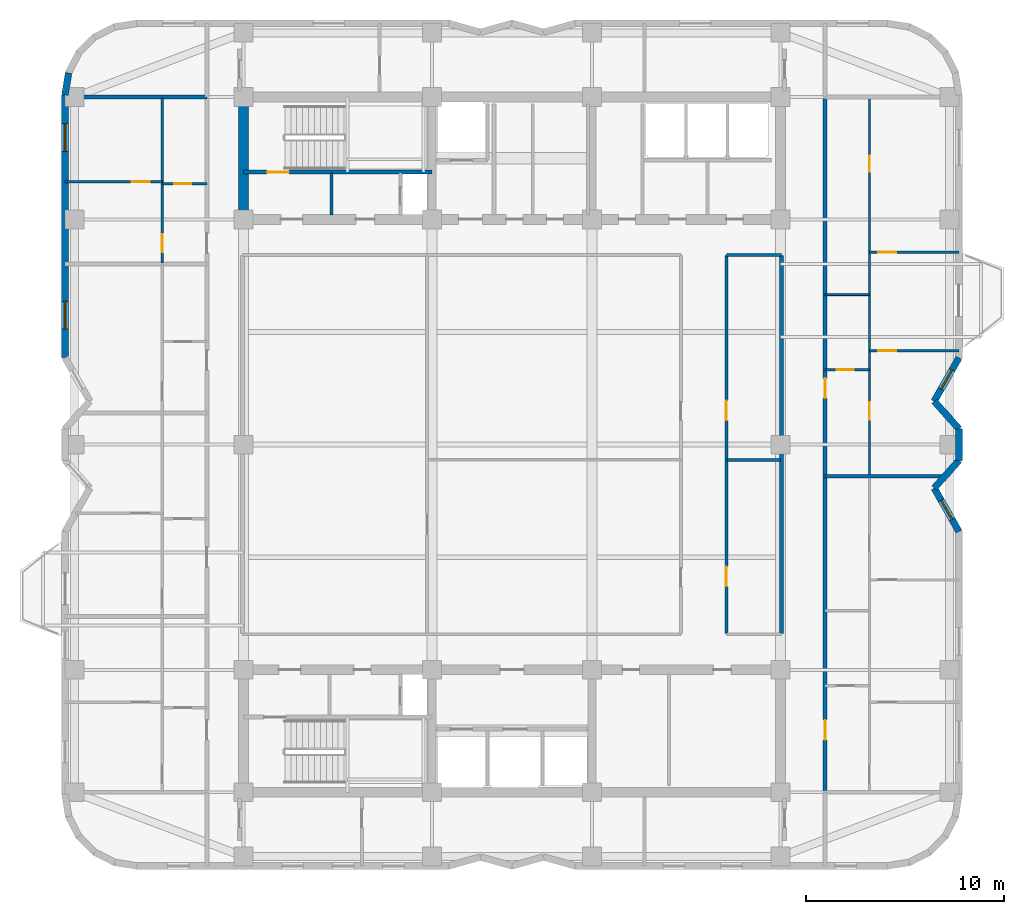
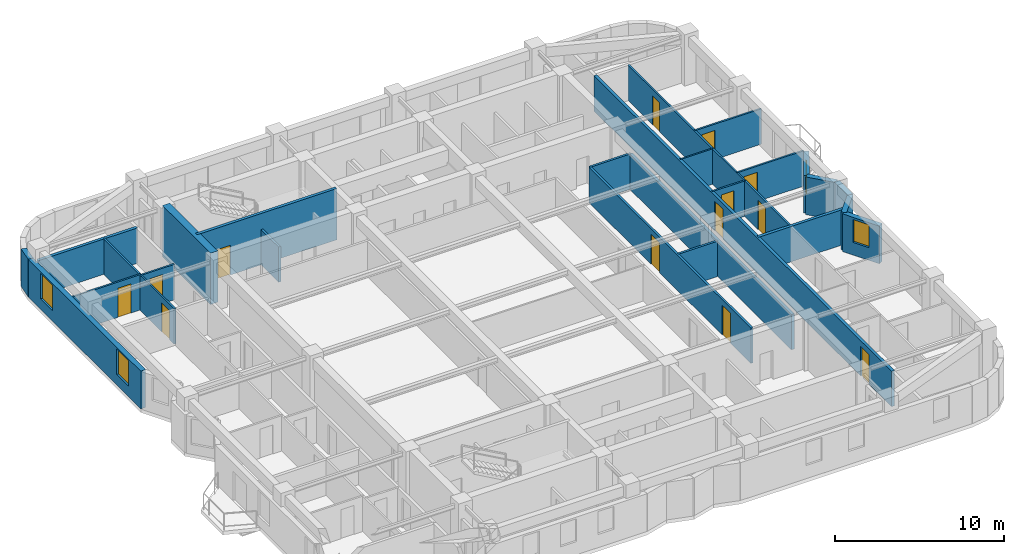
# One storey, part 5 of 9: 25 walls, 13 doors, 4 windows, 17 openings.
"""IFC4 building model written with IfcOpenShell, lengths in metres."""

from ifc_helpers import new_model, si_unit, direction, frame, frame_2d, origin, place, context, subcontext, project, spatial, rectangle, extrude, material, layer, layer_set, type_object, element, fill, save


model = new_model("IFC4")

# Units and contexts
model_context = context("Model", 3, precision=1e-05, world=origin(), true_north=direction((0.0, 1.0)))
body_context = subcontext(model_context, "Body", "Model", "MODEL_VIEW")
ifc_project = project(units=[si_unit("LENGTHUNIT", "METRE"), si_unit("AREAUNIT", "SQUARE_METRE"), si_unit("VOLUMEUNIT", "CUBIC_METRE"), si_unit("PLANEANGLEUNIT", "RADIAN"), si_unit("MASSUNIT", "GRAM", prefix="KILO")], contexts=[model_context])

# Site, building, storey
site_placement = place(None, origin())
site = spatial("IfcSite", under=ifc_project, at=site_placement, CompositionType="ELEMENT")
building_placement = place(site_placement, origin())
building = spatial("IfcBuilding", under=site, at=building_placement, Name="Svetorya Sky Lyceum", CompositionType="ELEMENT")
storey_placement = place(building_placement, frame((0.0, 0.0, 173.699951171875)))
storey = spatial("IfcBuildingStorey", under=building, at=storey_placement, Name="L43", CompositionType="ELEMENT", Elevation=173.699951171875)

# Wall
ifc_material_1 = material(Name="Concrete C50/60", Category="concrete")
ifc_layer_1 = layer(ifc_material_1, 0.5)
ifc_layer_set_1 = layer_set([ifc_layer_1], Name="Concrete C50/60")
wall_type_1 = type_object("IfcWallType", Name="WL-CORE-500", PredefinedType="SHEAR", material=ifc_layer_set_1)
wall_1_placement = place(storey_placement, frame((25.60009765625, 39.85009765625, 0.0), z_axis=(0.0, 0.0, 1.0), x_axis=(0.0, 1.0, 0.0)))
element("IfcWall", 1, at=wall_1_placement, inside=storey, type_object=wall_type_1, Name="L43 NC West Core Shear Wall", PredefinedType="SHEAR", context=body_context, shape_type="SweptSolid", body=[
    extrude(rectangle(XDim=5.699951171875, YDim=0.5, at=frame_2d((2.85009765625, 0.0))), origin(), (0.0, 0.0, 1.0), 3.699951171875),
])

# Wall, opening, window
ifc_material_2 = material(Name="Putilovo limestone rainscreen on autoclaved cellular masonry", Category="masonry")
ifc_layer_2 = layer(ifc_material_2, 0.340087890625)
ifc_layer_set_2 = layer_set([ifc_layer_2], Name="Putilovo limestone rainscreen on autoclaved cellular masonry")
wall_type_2 = type_object("IfcWallType", Name="WL-EXT-340", PredefinedType="SOLIDWALL", material=ifc_layer_set_2)
wall_2_placement = place(storey_placement, frame((61.830078125, 23.800048828125, 0.0), z_axis=(0.0, 0.0, 1.0), x_axis=(-0.494017696272, 0.869451847873, 0.0)))
wall_2 = element("IfcWall", 2, at=wall_2_placement, inside=storey, type_object=wall_type_2, Name="L43 Limestone Exterior Wall 18M", PredefinedType="SOLIDWALL", context=body_context, shape_type="SweptSolid", body=[
    extrude(rectangle(XDim=2.5302734375, YDim=0.340087890625, at=frame_2d((1.26513671875, 0.0))), origin(), (0.0, 0.0, 1.0), 2.719970703125),
])
opening_1_placement = place(wall_2_placement, frame((0.715087890625, 0.0, 0.909912109375)))
opening_1 = element("IfcOpeningElement", 3, at=opening_1_placement, cuts=wall_2, Name="Opening W-R3", PredefinedType="OPENING", context=body_context, shape_type="SweptSolid", body=[
    extrude(rectangle(XDim=1.10009765625, YDim=1.64990234375, at=frame_2d((0.550048828125, 0.824951171875))), frame((0.0, 0.179931640625, 0.0), z_axis=(0.0, -1.0, 0.0), x_axis=(1.0, 0.0, 0.0)), (0.0, 0.0, 1.0), 0.360107421875),
])
ifc_material_3 = material(Name="Thermally broken aluminium frame with triple low-E glazing", Category="aluminium")
window_type_1 = type_object("IfcWindowType", Name="WN-RES-110", PartitioningType="SINGLE_PANEL", PredefinedType="WINDOW", material=ifc_material_3)
window_1_placement = place(opening_1_placement, origin())
window_1 = element("IfcWindow", 4, at=window_1_placement, inside=storey, type_object=window_type_1, Name="L43 Facade Window W-R3.18M.1", OverallHeight=1.64990234375, OverallWidth=1.10009765625, PartitioningType="SINGLE_PANEL", PredefinedType="WINDOW", context=body_context, shape_type="SweptSolid", body=[
    extrude(rectangle(XDim=1.10009765625, YDim=1.64990234375, at=frame_2d((0.550048828125, 0.824951171875))), frame((0.0, 0.030029296875, 0.0), z_axis=(0.0, -1.0, 0.0), x_axis=(1.0, 0.0, 0.0)), (0.0, 0.0, 1.0), 0.06005859375),
])
fill(opening_1, window_1)

# Walls
wall_3_placement = place(storey_placement, frame((60.580078125, 26.0, 0.0), z_axis=(0.0, 0.0, 1.0), x_axis=(0.666041619974, 0.74591457987, 0.0)))
element("IfcWall", 5, at=wall_3_placement, inside=storey, type_object=wall_type_2, Name="L43 Limestone Exterior Wall 19M", PredefinedType="SOLIDWALL", context=body_context, shape_type="SweptSolid", body=[
    extrude(rectangle(XDim=1.876708984375, YDim=0.340087890625, at=frame_2d((0.9384765625, 0.0))), origin(), (0.0, 0.0, 1.0), 2.719970703125),
])
wall_4_placement = place(storey_placement, frame((61.830078125, 27.39990234375, 0.0), z_axis=(0.0, 0.0, 1.0), x_axis=(0.0, 1.0, 0.0)))
element("IfcWall", 6, at=wall_4_placement, inside=storey, type_object=wall_type_2, Name="L43 Limestone Exterior Wall 20M", PredefinedType="SOLIDWALL", context=body_context, shape_type="SweptSolid", body=[
    extrude(rectangle(XDim=1.60009765625, YDim=0.340087890625, at=frame_2d((0.800048828125, 0.0))), origin(), (0.0, 0.0, 1.0), 2.719970703125),
])
wall_5_placement = place(storey_placement, frame((61.830078125, 29.0, 0.0), z_axis=(0.0, 0.0, 1.0), x_axis=(-0.666041619974, 0.74591457987, 0.0)))
element("IfcWall", 7, at=wall_5_placement, inside=storey, type_object=wall_type_2, Name="L43 Limestone Exterior Wall 21M", PredefinedType="SOLIDWALL", context=body_context, shape_type="SweptSolid", body=[
    extrude(rectangle(XDim=1.876708984375, YDim=0.340087890625, at=frame_2d((0.9384765625, 0.0))), origin(), (0.0, 0.0, 1.0), 2.719970703125),
])

# Wall, opening, window
wall_6_placement = place(storey_placement, frame((60.580078125, 30.39990234375, 0.0), z_axis=(0.0, 0.0, 1.0), x_axis=(0.493976255291, 0.869475393101, 0.0)))
wall_6 = element("IfcWall", 8, at=wall_6_placement, inside=storey, type_object=wall_type_2, Name="L43 Limestone Exterior Wall 22M", PredefinedType="SOLIDWALL", context=body_context, shape_type="SweptSolid", body=[
    extrude(rectangle(XDim=2.530517578125, YDim=0.340087890625, at=frame_2d((1.26513671875, 0.0))), origin(), (0.0, 0.0, 1.0), 2.719970703125),
])
opening_2_placement = place(wall_6_placement, frame((0.715087890625, 0.0, 0.909912109375)))
opening_2 = element("IfcOpeningElement", 9, at=opening_2_placement, cuts=wall_6, Name="Opening W-R3", PredefinedType="OPENING", context=body_context, shape_type="SweptSolid", body=[
    extrude(rectangle(XDim=1.10009765625, YDim=1.64990234375, at=frame_2d((0.550048828125, 0.824951171875))), frame((0.0, 0.179931640625, 0.0), z_axis=(0.0, -1.0, 0.0), x_axis=(1.0, 0.0, 0.0)), (0.0, 0.0, 1.0), 0.360107421875),
])
window_2_placement = place(opening_2_placement, origin())
window_2 = element("IfcWindow", 10, at=window_2_placement, inside=storey, type_object=window_type_1, Name="L43 Facade Window W-R3.22M.1", OverallHeight=1.64990234375, OverallWidth=1.10009765625, PartitioningType="SINGLE_PANEL", PredefinedType="WINDOW", context=body_context, shape_type="SweptSolid", body=[
    extrude(rectangle(XDim=1.10009765625, YDim=1.64990234375, at=frame_2d((0.550048828125, 0.824951171875))), frame((0.0, 0.030029296875, 0.0), z_axis=(0.0, -1.0, 0.0), x_axis=(1.0, 0.0, 0.0)), (0.0, 0.0, 1.0), 0.06005859375),
])
fill(opening_2, window_2)

# Wall
wall_7_placement = place(storey_placement, frame((16.747802734375, 47.021728515625, 0.0), z_axis=(0.0, 0.0, 1.0), x_axis=(-0.156481329164, -0.987680916907, 0.0)))
element("IfcWall", 11, at=wall_7_placement, inside=storey, type_object=wall_type_2, Name="L43 Limestone Exterior Wall 39M", PredefinedType="SOLIDWALL", context=body_context, shape_type="SweptSolid", body=[
    extrude(rectangle(XDim=1.1357421875, YDim=0.340087890625, at=frame_2d((0.56787109375, 0.0))), origin(), (0.0, 0.0, 1.0), 2.719970703125),
])

# Wall, openings, windows
wall_8_placement = place(storey_placement, frame((16.570068359375, 45.89990234375, 0.0), z_axis=(0.0, 0.0, 1.0), x_axis=(0.0, -1.0, 0.0)))
wall_8 = element("IfcWall", 12, at=wall_8_placement, inside=storey, type_object=wall_type_2, Name="L43 Limestone Exterior Wall 40M", PredefinedType="SOLIDWALL", context=body_context, shape_type="SweptSolid", body=[
    extrude(rectangle(XDim=13.2998046875, YDim=0.340087890625, at=frame_2d((6.64990234375, 0.0))), origin(), (0.0, 0.0, 1.0), 2.719970703125),
])
opening_3_placement = place(wall_8_placement, frame((1.449951171875, 0.0, 0.75)))
opening_3 = element("IfcOpeningElement", 13, at=opening_3_placement, cuts=wall_8, Name="Opening W-R2", PredefinedType="OPENING", context=body_context, shape_type="SweptSolid", body=[
    extrude(rectangle(XDim=1.39990234375, YDim=1.85009765625, at=frame_2d((0.699951171875, 0.925048828125))), frame((0.0, 0.179931640625, 0.0), z_axis=(0.0, -1.0, 0.0), x_axis=(1.0, 0.0, 0.0)), (0.0, 0.0, 1.0), 0.360107421875),
])
opening_4_placement = place(wall_8_placement, frame((10.449951171875, 0.0, 0.75)))
opening_4 = element("IfcOpeningElement", 14, at=opening_4_placement, cuts=wall_8, Name="Opening W-R2", PredefinedType="OPENING", context=body_context, shape_type="SweptSolid", body=[
    extrude(rectangle(XDim=1.39990234375, YDim=1.85009765625, at=frame_2d((0.699951171875, 0.925048828125))), frame((0.0, 0.179931640625, 0.0), z_axis=(0.0, -1.0, 0.0), x_axis=(1.0, 0.0, 0.0)), (0.0, 0.0, 1.0), 0.360107421875),
])
window_type_2 = type_object("IfcWindowType", Name="WN-RES-140", PartitioningType="SINGLE_PANEL", PredefinedType="WINDOW", material=ifc_material_3)
window_3_placement = place(opening_3_placement, origin())
window_3 = element("IfcWindow", 15, at=window_3_placement, inside=storey, type_object=window_type_2, Name="L43 Facade Window W-R2.40M.1", OverallHeight=1.85009765625, OverallWidth=1.39990234375, PartitioningType="SINGLE_PANEL", PredefinedType="WINDOW", context=body_context, shape_type="SweptSolid", body=[
    extrude(rectangle(XDim=1.39990234375, YDim=1.85009765625, at=frame_2d((0.699951171875, 0.925048828125))), frame((0.0, 0.030029296875, 0.0), z_axis=(0.0, -1.0, 0.0), x_axis=(1.0, 0.0, 0.0)), (0.0, 0.0, 1.0), 0.06005859375),
])
fill(opening_3, window_3)
window_4_placement = place(opening_4_placement, origin())
window_4 = element("IfcWindow", 16, at=window_4_placement, inside=storey, type_object=window_type_2, Name="L43 Facade Window W-R2.40M.2", OverallHeight=1.85009765625, OverallWidth=1.39990234375, PartitioningType="SINGLE_PANEL", PredefinedType="WINDOW", context=body_context, shape_type="SweptSolid", body=[
    extrude(rectangle(XDim=1.39990234375, YDim=1.85009765625, at=frame_2d((0.699951171875, 0.925048828125))), frame((0.0, 0.030029296875, 0.0), z_axis=(0.0, -1.0, 0.0), x_axis=(1.0, 0.0, 0.0)), (0.0, 0.0, 1.0), 0.06005859375),
])
fill(opening_4, window_4)

# Wall
ifc_material_4 = material(Name="Galvanized stud partition with moisture-resistant board", Category="gypsum")
ifc_layer_3 = layer(ifc_material_4, 0.10009765625)
ifc_layer_set_3 = layer_set([ifc_layer_3], Name="Galvanized stud partition with moisture-resistant board")
wall_type_3 = type_object("IfcWallType", Name="WL-PART-100", PredefinedType="PARTITIONING", material=ifc_layer_set_3)
wall_9_placement = place(storey_placement, frame((55.050048828125, 35.800048828125, 0.0), z_axis=(0.0, 0.0, 1.0), x_axis=(1.0, 0.0, 0.0)))
element("IfcWall", 17, at=wall_9_placement, inside=storey, type_object=wall_type_3, Name="L43 Interior Partition E2-WH2", PredefinedType="PARTITIONING", context=body_context, shape_type="SweptSolid", body=[
    extrude(rectangle(XDim=2.25, YDim=0.10009765625, at=frame_2d((1.125, 0.0))), origin(), (0.0, 0.0, 1.0), 2.550048828125),
])

# Wall, opening, door
ifc_material_5 = material(Name="Twin-stud galvanized framing with double fireboard", Category="gypsum")
ifc_layer_4 = layer(ifc_material_5, 0.1201171875)
ifc_layer_set_4 = layer_set([ifc_layer_4], Name="Twin-stud galvanized framing with double fireboard")
wall_type_4 = type_object("IfcWallType", Name="WL-PART-120", PredefinedType="PARTITIONING", material=ifc_layer_set_4)
wall_10_placement = place(storey_placement, frame((21.5, 41.412109375, 0.0), z_axis=(0.0, 0.0, 1.0), x_axis=(1.0, 0.0, 0.0)))
wall_10 = element("IfcWall", 18, at=wall_10_placement, inside=storey, type_object=wall_type_4, Name="L43 Interior Partition W4-WH1", PredefinedType="PARTITIONING", context=body_context, shape_type="SweptSolid", body=[
    extrude(rectangle(XDim=2.25, YDim=0.1201171875, at=frame_2d((1.125, 0.0))), origin(), (0.0, 0.0, 1.0), 2.550048828125),
])
opening_5_placement = place(wall_10_placement, frame((0.60009765625, 0.0, 0.0)))
opening_5 = element("IfcOpeningElement", 19, at=opening_5_placement, cuts=wall_10, Name="Opening D-BT1", PredefinedType="OPENING", context=body_context, shape_type="SweptSolid", body=[
    extrude(rectangle(XDim=0.85009765625, YDim=2.10009765625, at=frame_2d((0.425048828125, 1.050048828125))), frame((0.0, 0.070068359375, 0.0), z_axis=(0.0, -1.0, 0.0), x_axis=(1.0, 0.0, 0.0)), (0.0, 0.0, 1.0), 0.14013671875),
])
ifc_material_6 = material(Name="Moisture-resistant laminate bathroom door")
door_type_1 = type_object("IfcDoorType", Name="DR-WET-850", OperationType="SINGLE_SWING_LEFT", PredefinedType="DOOR", material=ifc_material_6)
door_1_placement = place(opening_5_placement, origin())
door_1 = element("IfcDoor", 20, at=door_1_placement, inside=storey, type_object=door_type_1, Name="Apartment W4 Bathroom Door", OperationType="SINGLE_SWING_RIGHT", OverallHeight=2.10009765625, OverallWidth=0.85009765625, PredefinedType="DOOR", context=body_context, shape_type="SweptSolid", body=[
    extrude(rectangle(XDim=0.85009765625, YDim=2.10009765625, at=frame_2d((0.425048828125, 1.050048828125))), frame((0.0, 0.02490234375, 0.0), z_axis=(0.0, -1.0, 0.0), x_axis=(1.0, 0.0, 0.0)), (0.0, 0.0, 1.0), 0.050048828125),
])
fill(opening_5, door_1)

wall_11_placement = place(storey_placement, frame((16.570068359375, 41.501953125, 0.0), z_axis=(0.0, 0.0, 1.0), x_axis=(1.0, 0.0, 0.0)))
wall_11 = element("IfcWall", 21, at=wall_11_placement, inside=storey, type_object=wall_type_4, Name="L43 Interior Partition W4-WL1", PredefinedType="PARTITIONING", context=body_context, shape_type="SweptSolid", body=[
    extrude(rectangle(XDim=4.929931640625, YDim=0.1201171875, at=frame_2d((2.46484375, 0.0))), origin(), (0.0, 0.0, 1.0), 2.550048828125),
])
opening_6_placement = place(wall_11_placement, frame((3.3798828125, 0.0, 0.0)))
opening_6 = element("IfcOpeningElement", 22, at=opening_6_placement, cuts=wall_11, Name="Opening D-RM1", PredefinedType="OPENING", context=body_context, shape_type="SweptSolid", body=[
    extrude(rectangle(XDim=0.89990234375, YDim=2.10009765625, at=frame_2d((0.449951171875, 1.050048828125))), frame((0.0, 0.070068359375, 0.0), z_axis=(0.0, -1.0, 0.0), x_axis=(1.0, 0.0, 0.0)), (0.0, 0.0, 1.0), 0.14013671875),
])
ifc_material_7 = material(Name="Lacquered birch veneer internal door")
door_type_2 = type_object("IfcDoorType", Name="DR-INT-900", OperationType="SINGLE_SWING_LEFT", PredefinedType="DOOR", material=ifc_material_7)
door_2_placement = place(opening_6_placement, origin())
door_2 = element("IfcDoor", 23, at=door_2_placement, inside=storey, type_object=door_type_2, Name="Apartment W4 Bedroom 1 Door", OperationType="SINGLE_SWING_RIGHT", OverallHeight=2.10009765625, OverallWidth=0.89990234375, PredefinedType="DOOR", context=body_context, shape_type="SweptSolid", body=[
    extrude(rectangle(XDim=0.89990234375, YDim=2.10009765625, at=frame_2d((0.449951171875, 1.050048828125))), frame((0.0, 0.02490234375, 0.0), z_axis=(0.0, -1.0, 0.0), x_axis=(1.0, 0.0, 0.0)), (0.0, 0.0, 1.0), 0.050048828125),
])
fill(opening_6, door_2)

wall_12_placement = place(storey_placement, frame((21.5, 37.39208984375, 0.0), z_axis=(0.0, 0.0, 1.0), x_axis=(0.0, 1.0, 0.0)))
wall_12 = element("IfcWall", 24, at=wall_12_placement, inside=storey, type_object=wall_type_4, Name="L43 Interior Partition W4-WV", PredefinedType="PARTITIONING", context=body_context, shape_type="SweptSolid", body=[
    extrude(rectangle(XDim=8.367919921875, YDim=0.1201171875, at=frame_2d((4.18408203125, 0.0))), origin(), (0.0, 0.0, 1.0), 2.550048828125),
])
opening_7_placement = place(wall_12_placement, frame((0.56005859375, 0.0, 0.0)))
opening_7 = element("IfcOpeningElement", 25, at=opening_7_placement, cuts=wall_12, Name="Opening D-RM1", PredefinedType="OPENING", context=body_context, shape_type="SweptSolid", body=[
    extrude(rectangle(XDim=0.89990234375, YDim=2.10009765625, at=frame_2d((0.449951171875, 1.050048828125))), frame((0.0, 0.070068359375, 0.0), z_axis=(0.0, -1.0, 0.0), x_axis=(1.0, 0.0, 0.0)), (0.0, 0.0, 1.0), 0.14013671875),
])
door_3_placement = place(opening_7_placement, origin())
door_3 = element("IfcDoor", 26, at=door_3_placement, inside=storey, type_object=door_type_2, Name="Apartment W4 Living Door", OperationType="SINGLE_SWING_LEFT", OverallHeight=2.10009765625, OverallWidth=0.89990234375, PredefinedType="DOOR", context=body_context, shape_type="SweptSolid", body=[
    extrude(rectangle(XDim=0.89990234375, YDim=2.10009765625, at=frame_2d((0.449951171875, 1.050048828125))), frame((0.0, 0.02490234375, 0.0), z_axis=(0.0, -1.0, 0.0), x_axis=(1.0, 0.0, 0.0)), (0.0, 0.0, 1.0), 0.050048828125),
])
fill(opening_7, door_3)

wall_13_placement = place(storey_placement, frame((55.050048828125, 32.0, 0.0), z_axis=(0.0, 0.0, 1.0), x_axis=(1.0, 0.0, 0.0)))
wall_13 = element("IfcWall", 27, at=wall_13_placement, inside=storey, type_object=wall_type_4, Name="L43 Interior Partition E2-WH1", PredefinedType="PARTITIONING", context=body_context, shape_type="SweptSolid", body=[
    extrude(rectangle(XDim=2.25, YDim=0.1201171875, at=frame_2d((1.125, 0.0))), origin(), (0.0, 0.0, 1.0), 2.550048828125),
])
opening_8_placement = place(wall_13_placement, frame((0.60009765625, 0.0, 0.0)))
opening_8 = element("IfcOpeningElement", 28, at=opening_8_placement, cuts=wall_13, Name="Opening D-BT1", PredefinedType="OPENING", context=body_context, shape_type="SweptSolid", body=[
    extrude(rectangle(XDim=0.85009765625, YDim=2.10009765625, at=frame_2d((0.425048828125, 1.050048828125))), frame((0.0, 0.070068359375, 0.0), z_axis=(0.0, -1.0, 0.0), x_axis=(1.0, 0.0, 0.0)), (0.0, 0.0, 1.0), 0.14013671875),
])
door_4_placement = place(opening_8_placement, origin())
door_4 = element("IfcDoor", 29, at=door_4_placement, inside=storey, type_object=door_type_1, Name="Apartment E2 Bathroom Door", OperationType="SINGLE_SWING_LEFT", OverallHeight=2.10009765625, OverallWidth=0.85009765625, PredefinedType="DOOR", context=body_context, shape_type="SweptSolid", body=[
    extrude(rectangle(XDim=0.85009765625, YDim=2.10009765625, at=frame_2d((0.425048828125, 1.050048828125))), frame((0.0, 0.02490234375, 0.0), z_axis=(0.0, -1.0, 0.0), x_axis=(1.0, 0.0, 0.0)), (0.0, 0.0, 1.0), 0.050048828125),
])
fill(opening_8, door_4)

wall_14_placement = place(storey_placement, frame((57.300048828125, 32.949951171875, 0.0), z_axis=(0.0, 0.0, 1.0), x_axis=(1.0, 0.0, 0.0)))
wall_14 = element("IfcWall", 30, at=wall_14_placement, inside=storey, type_object=wall_type_4, Name="L43 Interior Partition E2-WL1", PredefinedType="PARTITIONING", context=body_context, shape_type="SweptSolid", body=[
    extrude(rectangle(XDim=4.530029296875, YDim=0.1201171875, at=frame_2d((2.26513671875, 0.0))), origin(), (0.0, 0.0, 1.0), 2.550048828125),
])
opening_9_placement = place(wall_14_placement, frame((0.449951171875, 0.0, 0.0)))
opening_9 = element("IfcOpeningElement", 31, at=opening_9_placement, cuts=wall_14, Name="Opening D-RM1", PredefinedType="OPENING", context=body_context, shape_type="SweptSolid", body=[
    extrude(rectangle(XDim=0.89990234375, YDim=2.10009765625, at=frame_2d((0.449951171875, 1.050048828125))), frame((0.0, 0.070068359375, 0.0), z_axis=(0.0, -1.0, 0.0), x_axis=(1.0, 0.0, 0.0)), (0.0, 0.0, 1.0), 0.14013671875),
])
door_5_placement = place(opening_9_placement, origin())
door_5 = element("IfcDoor", 32, at=door_5_placement, inside=storey, type_object=door_type_2, Name="Apartment E2 Master Bedroom Door", OperationType="SINGLE_SWING_LEFT", OverallHeight=2.10009765625, OverallWidth=0.89990234375, PredefinedType="DOOR", context=body_context, shape_type="SweptSolid", body=[
    extrude(rectangle(XDim=0.89990234375, YDim=2.10009765625, at=frame_2d((0.449951171875, 1.050048828125))), frame((0.0, 0.02490234375, 0.0), z_axis=(0.0, -1.0, 0.0), x_axis=(1.0, 0.0, 0.0)), (0.0, 0.0, 1.0), 0.050048828125),
])
fill(opening_9, door_5)

wall_15_placement = place(storey_placement, frame((57.300048828125, 37.949951171875, 0.0), z_axis=(0.0, 0.0, 1.0), x_axis=(1.0, 0.0, 0.0)))
wall_15 = element("IfcWall", 33, at=wall_15_placement, inside=storey, type_object=wall_type_4, Name="L43 Interior Partition E2-WL2", PredefinedType="PARTITIONING", context=body_context, shape_type="SweptSolid", body=[
    extrude(rectangle(XDim=4.530029296875, YDim=0.1201171875, at=frame_2d((2.26513671875, 0.0))), origin(), (0.0, 0.0, 1.0), 2.550048828125),
])
opening_10_placement = place(wall_15_placement, frame((0.449951171875, 0.0, 0.0)))
opening_10 = element("IfcOpeningElement", 34, at=opening_10_placement, cuts=wall_15, Name="Opening D-RM1", PredefinedType="OPENING", context=body_context, shape_type="SweptSolid", body=[
    extrude(rectangle(XDim=0.89990234375, YDim=2.10009765625, at=frame_2d((0.449951171875, 1.050048828125))), frame((0.0, 0.070068359375, 0.0), z_axis=(0.0, -1.0, 0.0), x_axis=(1.0, 0.0, 0.0)), (0.0, 0.0, 1.0), 0.14013671875),
])
door_6_placement = place(opening_10_placement, origin())
door_6 = element("IfcDoor", 35, at=door_6_placement, inside=storey, type_object=door_type_2, Name="Apartment E2 Bedroom 2 Door", OperationType="SINGLE_SWING_RIGHT", OverallHeight=2.10009765625, OverallWidth=0.89990234375, PredefinedType="DOOR", context=body_context, shape_type="SweptSolid", body=[
    extrude(rectangle(XDim=0.89990234375, YDim=2.10009765625, at=frame_2d((0.449951171875, 1.050048828125))), frame((0.0, 0.02490234375, 0.0), z_axis=(0.0, -1.0, 0.0), x_axis=(1.0, 0.0, 0.0)), (0.0, 0.0, 1.0), 0.050048828125),
])
fill(opening_10, door_6)

# Wall, openings, doors
wall_16_placement = place(storey_placement, frame((57.300048828125, 26.639892578125, 0.0), z_axis=(0.0, 0.0, 1.0), x_axis=(0.0, 1.0, 0.0)))
wall_16 = element("IfcWall", 36, at=wall_16_placement, inside=storey, type_object=wall_type_4, Name="L43 Interior Partition E2-WV", PredefinedType="PARTITIONING", context=body_context, shape_type="SweptSolid", body=[
    extrude(rectangle(XDim=19.1201171875, YDim=0.1201171875, at=frame_2d((9.56005859375, 0.0))), origin(), (0.0, 0.0, 1.0), 2.550048828125),
])
opening_11_placement = place(wall_16_placement, frame((2.81005859375, 0.0, 0.0)))
opening_11 = element("IfcOpeningElement", 37, at=opening_11_placement, cuts=wall_16, Name="Opening D-RM1", PredefinedType="OPENING", context=body_context, shape_type="SweptSolid", body=[
    extrude(rectangle(XDim=0.89990234375, YDim=2.10009765625, at=frame_2d((0.449951171875, 1.050048828125))), frame((0.0, 0.070068359375, 0.0), z_axis=(0.0, -1.0, 0.0), x_axis=(1.0, 0.0, 0.0)), (0.0, 0.0, 1.0), 0.14013671875),
])
opening_12_placement = place(wall_16_placement, frame((15.364990234375, 0.0, 0.0)))
opening_12 = element("IfcOpeningElement", 38, at=opening_12_placement, cuts=wall_16, Name="Opening D-BT2", PredefinedType="OPENING", context=body_context, shape_type="SweptSolid", body=[
    extrude(rectangle(XDim=0.820068359375, YDim=2.080078125, at=frame_2d((0.41015625, 1.0400390625))), frame((0.0, 0.070068359375, 0.0), z_axis=(0.0, -1.0, 0.0), x_axis=(1.0, 0.0, 0.0)), (0.0, 0.0, 1.0), 0.14013671875),
])
door_7_placement = place(opening_11_placement, origin())
door_7 = element("IfcDoor", 39, at=door_7_placement, inside=storey, type_object=door_type_2, Name="Apartment E2 Living Door", OperationType="SINGLE_SWING_RIGHT", OverallHeight=2.10009765625, OverallWidth=0.89990234375, PredefinedType="DOOR", context=body_context, shape_type="SweptSolid", body=[
    extrude(rectangle(XDim=0.89990234375, YDim=2.10009765625, at=frame_2d((0.449951171875, 1.050048828125))), frame((0.0, 0.02490234375, 0.0), z_axis=(0.0, -1.0, 0.0), x_axis=(1.0, 0.0, 0.0)), (0.0, 0.0, 1.0), 0.050048828125),
])
fill(opening_11, door_7)
ifc_material_8 = material(Name="Compact moisture-resistant laminate closet door")
door_type_3 = type_object("IfcDoorType", Name="DR-WET-820", OperationType="SINGLE_SWING_LEFT", PredefinedType="DOOR", material=ifc_material_8)
door_8_placement = place(opening_12_placement, origin())
door_8 = element("IfcDoor", 40, at=door_8_placement, inside=storey, type_object=door_type_3, Name="Apartment E2 Study Door", OperationType="SINGLE_SWING_LEFT", OverallHeight=2.080078125, OverallWidth=0.820068359375, PredefinedType="DOOR", context=body_context, shape_type="SweptSolid", body=[
    extrude(rectangle(XDim=0.820068359375, YDim=2.080078125, at=frame_2d((0.41015625, 1.0400390625))), frame((0.0, 0.02490234375, 0.0), z_axis=(0.0, -1.0, 0.0), x_axis=(1.0, 0.0, 0.0)), (0.0, 0.0, 1.0), 0.050048828125),
])
fill(opening_12, door_8)

# Walls
ifc_material_9 = material(Name="Autoclaved cellular masonry blockwork with acoustic render", Category="masonry")
ifc_layer_5 = layer(ifc_material_9, 0.14990234375)
ifc_layer_set_5 = layer_set([ifc_layer_5], Name="Autoclaved cellular masonry blockwork with acoustic render")
wall_type_5 = type_object("IfcWallType", Name="WL-PART-150", PredefinedType="PARTITIONING", material=ifc_layer_set_5)
wall_17_placement = place(storey_placement, frame((30.050048828125, 39.820068359375, 0.0), z_axis=(0.0, 0.0, 1.0), x_axis=(0.0, 1.0, 0.0)))
element("IfcWall", 41, at=wall_17_placement, inside=storey, type_object=wall_type_5, Name="L43 Interior Partition NC-NWD1", PredefinedType="PARTITIONING", context=body_context, shape_type="SweptSolid", body=[
    extrude(rectangle(XDim=2.1298828125, YDim=0.14990234375, at=frame_2d((1.06494140625, 0.0))), origin(), (0.0, 0.0, 1.0), 2.550048828125),
])
wall_18_placement = place(storey_placement, frame((50.050048828125, 37.800048828125, 0.0), z_axis=(0.0, 0.0, 1.0), x_axis=(1.0, 0.0, 0.0)))
element("IfcWall", 42, at=wall_18_placement, inside=storey, type_object=wall_type_5, Name="L43 Interior Partition OFF-CN-E", PredefinedType="PARTITIONING", context=body_context, shape_type="SweptSolid", body=[
    extrude(rectangle(XDim=2.800048828125, YDim=0.14990234375, at=frame_2d((1.39990234375, 0.0))), origin(), (0.0, 0.0, 1.0), 2.550048828125),
])
wall_19_placement = place(storey_placement, frame((50.080078125, 27.434326171875, 0.0), z_axis=(0.0, 0.0, 1.0), x_axis=(1.0, 0.0, 0.0)))
element("IfcWall", 43, at=wall_19_placement, inside=storey, type_object=wall_type_5, Name="L43 Interior Partition OFF-HE", PredefinedType="PARTITIONING", context=body_context, shape_type="SweptSolid", body=[
    extrude(rectangle(XDim=2.719970703125, YDim=0.14990234375, at=frame_2d((1.35986328125, 0.0))), origin(), (0.0, 0.0, 1.0), 2.550048828125),
])

# Wall, openings, doors
wall_20_placement = place(storey_placement, frame((50.050048828125, 18.6298828125, 0.0), z_axis=(0.0, 0.0, 1.0), x_axis=(0.0, 1.0, 0.0)))
wall_20 = element("IfcWall", 44, at=wall_20_placement, inside=storey, type_object=wall_type_5, Name="L43 Interior Partition OFF-VE", PredefinedType="PARTITIONING", context=body_context, shape_type="SweptSolid", body=[
    extrude(rectangle(XDim=19.14013671875, YDim=0.14990234375, at=frame_2d((9.570068359375, 0.0))), origin(), (0.0, 0.0, 1.0), 2.550048828125),
])
opening_13_placement = place(wall_20_placement, frame((2.39990234375, 0.0, 0.0)))
opening_13 = element("IfcOpeningElement", 45, at=opening_13_placement, cuts=wall_20, Name="Opening D-RM2", PredefinedType="OPENING", context=body_context, shape_type="SweptSolid", body=[
    extrude(rectangle(XDim=1.0, YDim=2.14990234375, at=frame_2d((0.5, 1.074951171875))), frame((0.0, 0.0849609375, 0.0), z_axis=(0.0, -1.0, 0.0), x_axis=(1.0, 0.0, 0.0)), (0.0, 0.0, 1.0), 0.169921875),
])
opening_14_placement = place(wall_20_placement, frame((10.804443359375, 0.0, 0.0)))
opening_14 = element("IfcOpeningElement", 46, at=opening_14_placement, cuts=wall_20, Name="Opening D-RM2", PredefinedType="OPENING", context=body_context, shape_type="SweptSolid", body=[
    extrude(rectangle(XDim=1.0, YDim=2.14990234375, at=frame_2d((0.5, 1.074951171875))), frame((0.0, 0.0849609375, 0.0), z_axis=(0.0, -1.0, 0.0), x_axis=(1.0, 0.0, 0.0)), (0.0, 0.0, 1.0), 0.169921875),
])
ifc_material_10 = material(Name="Solid-core oak acoustic room door")
door_type_4 = type_object("IfcDoorType", Name="DR-INT-1000", OperationType="SINGLE_SWING_LEFT", PredefinedType="DOOR", material=ifc_material_10)
door_9_placement = place(opening_13_placement, origin())
door_9 = element("IfcDoor", 47, at=door_9_placement, inside=storey, type_object=door_type_4, Name="L43 Club Door", OperationType="SINGLE_SWING_RIGHT", OverallHeight=2.14990234375, OverallWidth=1.0, PredefinedType="DOOR", context=body_context, shape_type="SweptSolid", body=[
    extrude(rectangle(XDim=1.0, YDim=2.14990234375, at=frame_2d((0.5, 1.074951171875))), frame((0.0, 0.02490234375, 0.0), z_axis=(0.0, -1.0, 0.0), x_axis=(1.0, 0.0, 0.0)), (0.0, 0.0, 1.0), 0.050048828125),
])
fill(opening_13, door_9)
door_10_placement = place(opening_14_placement, origin())
door_10 = element("IfcDoor", 48, at=door_10_placement, inside=storey, type_object=door_type_4, Name="L43 Seminar Door", OperationType="SINGLE_SWING_LEFT", OverallHeight=2.14990234375, OverallWidth=1.0, PredefinedType="DOOR", context=body_context, shape_type="SweptSolid", body=[
    extrude(rectangle(XDim=1.0, YDim=2.14990234375, at=frame_2d((0.5, 1.074951171875))), frame((0.0, 0.02490234375, 0.0), z_axis=(0.0, -1.0, 0.0), x_axis=(1.0, 0.0, 0.0)), (0.0, 0.0, 1.0), 0.050048828125),
])
fill(opening_14, door_10)

# Walls
ifc_material_11 = material(Name="Autoclaved cellular masonry blockwork with gypsum plaster", Category="masonry")
ifc_layer_6 = layer(ifc_material_11, 0.199951171875)
ifc_layer_set_6 = layer_set([ifc_layer_6], Name="Autoclaved cellular masonry blockwork with gypsum plaster")
wall_type_6 = type_object("IfcWallType", Name="WL-PART-200", PredefinedType="PARTITIONING", material=ifc_layer_set_6)
wall_21_placement = place(storey_placement, frame((52.85009765625, 18.6298828125, 0.0), z_axis=(0.0, 0.0, 1.0), x_axis=(0.0, 1.0, 0.0)))
element("IfcWall", 49, at=wall_21_placement, inside=storey, type_object=wall_type_6, Name="L43 Interior Partition E-CEN-SEP", PredefinedType="PARTITIONING", context=body_context, shape_type="SweptSolid", body=[
    extrude(rectangle(XDim=19.14013671875, YDim=0.199951171875, at=frame_2d((9.570068359375, 0.0))), origin(), (0.0, 0.0, 1.0), 2.550048828125),
])
wall_22_placement = place(storey_placement, frame((16.989990234375, 45.800048828125, 0.0), z_axis=(0.0, 0.0, 1.0), x_axis=(1.0, 0.0, 0.0)))
element("IfcWall", 50, at=wall_22_placement, inside=storey, type_object=wall_type_6, Name="L43 Interior Partition W-CAP-N", PredefinedType="PARTITIONING", context=body_context, shape_type="SweptSolid", body=[
    extrude(rectangle(XDim=6.760009765625, YDim=0.199951171875, at=frame_2d((3.3798828125, 0.0))), origin(), (0.0, 0.0, 1.0), 2.550048828125),
])
wall_23_placement = place(storey_placement, frame((55.050048828125, 26.60009765625, 0.0), z_axis=(0.0, 0.0, 1.0), x_axis=(1.0, 0.0, 0.0)))
element("IfcWall", 51, at=wall_23_placement, inside=storey, type_object=wall_type_6, Name="L43 Interior Partition E-PARTY-1", PredefinedType="PARTITIONING", context=body_context, shape_type="SweptSolid", body=[
    extrude(rectangle(XDim=6.065673828125, YDim=0.199951171875, at=frame_2d((3.03271484375, 0.0))), origin(), (0.0, 0.0, 1.0), 2.550048828125),
])

# Wall, openings, doors
wall_24_placement = place(storey_placement, frame((55.050048828125, 10.60009765625, 0.0), z_axis=(0.0, 0.0, 1.0), x_axis=(0.0, 1.0, 0.0)))
wall_24 = element("IfcWall", 52, at=wall_24_placement, inside=storey, type_object=wall_type_6, Name="L43 Interior Partition E-CORRW", PredefinedType="PARTITIONING", context=body_context, shape_type="SweptSolid", body=[
    extrude(rectangle(XDim=35.199951171875, YDim=0.199951171875, at=frame_2d((17.60009765625, 0.0))), origin(), (0.0, 0.0, 1.0), 2.550048828125),
])
opening_15_placement = place(wall_24_placement, frame((2.64990234375, 0.0, 0.0)))
opening_15 = element("IfcOpeningElement", 53, at=opening_15_placement, cuts=wall_24, Name="Opening D-APT1", PredefinedType="OPENING", context=body_context, shape_type="SweptSolid", body=[
    extrude(rectangle(XDim=1.0, YDim=2.14990234375, at=frame_2d((0.5, 1.074951171875))), frame((0.0, 0.10986328125, 0.0), z_axis=(0.0, -1.0, 0.0), x_axis=(1.0, 0.0, 0.0)), (0.0, 0.0, 1.0), 0.219970703125),
])
opening_16_placement = place(wall_24_placement, frame((19.949951171875, 0.0, 0.0)))
opening_16 = element("IfcOpeningElement", 54, at=opening_16_placement, cuts=wall_24, Name="Opening D-APT1", PredefinedType="OPENING", context=body_context, shape_type="SweptSolid", body=[
    extrude(rectangle(XDim=1.0, YDim=2.14990234375, at=frame_2d((0.5, 1.074951171875))), frame((0.0, 0.10986328125, 0.0), z_axis=(0.0, -1.0, 0.0), x_axis=(1.0, 0.0, 0.0)), (0.0, 0.0, 1.0), 0.219970703125),
])
ifc_material_12 = material(Name="Insulated oak-veneered apartment entrance door")
door_type_5 = type_object("IfcDoorType", Name="DR-APT-1000", OperationType="SINGLE_SWING_LEFT", PredefinedType="DOOR", material=ifc_material_12)
door_11_placement = place(opening_15_placement, origin())
door_11 = element("IfcDoor", 55, at=door_11_placement, inside=storey, type_object=door_type_5, Name="L43 Apartment E1 Entrance Door", OperationType="SINGLE_SWING_RIGHT", OverallHeight=2.14990234375, OverallWidth=1.0, PredefinedType="DOOR", context=body_context, shape_type="SweptSolid", body=[
    extrude(rectangle(XDim=1.0, YDim=2.14990234375, at=frame_2d((0.5, 1.074951171875))), frame((0.0, 0.02490234375, 0.0), z_axis=(0.0, -1.0, 0.0), x_axis=(1.0, 0.0, 0.0)), (0.0, 0.0, 1.0), 0.050048828125),
])
fill(opening_15, door_11)
door_12_placement = place(opening_16_placement, origin())
door_12 = element("IfcDoor", 56, at=door_12_placement, inside=storey, type_object=door_type_5, Name="L43 Apartment E2 Entrance Door", OperationType="SINGLE_SWING_LEFT", OverallHeight=2.14990234375, OverallWidth=1.0, PredefinedType="DOOR", context=body_context, shape_type="SweptSolid", body=[
    extrude(rectangle(XDim=1.0, YDim=2.14990234375, at=frame_2d((0.5, 1.074951171875))), frame((0.0, 0.02490234375, 0.0), z_axis=(0.0, -1.0, 0.0), x_axis=(1.0, 0.0, 0.0)), (0.0, 0.0, 1.0), 0.050048828125),
])
fill(opening_16, door_12)

# Wall, opening, door
ifc_layer_7 = layer(ifc_material_1, 0.199951171875)
ifc_layer_set_7 = layer_set([ifc_layer_7], Name="Concrete C50/60")
wall_type_7 = type_object("IfcWallType", Name="WL-SHW-200", PredefinedType="SHEAR", material=ifc_layer_set_7)
wall_25_placement = place(storey_placement, frame((35.14990234375, 42.0, 0.0), z_axis=(0.0, 0.0, 1.0), x_axis=(-1.0, 0.0, 0.0)))
wall_25 = element("IfcWall", 57, at=wall_25_placement, inside=storey, type_object=wall_type_7, Name="L43 Structural Stair Shaft Wall NC-STW", PredefinedType="SHEAR", context=body_context, shape_type="SweptSolid", body=[
    extrude(rectangle(XDim=9.5498046875, YDim=0.199951171875, at=frame_2d((4.77490234375, 0.0))), origin(), (0.0, 0.0, 1.0), 3.699951171875),
])
opening_17_placement = place(wall_25_placement, frame((7.25, 0.0, 0.0)))
opening_17 = element("IfcOpeningElement", 58, at=opening_17_placement, cuts=wall_25, Name="Opening D-ST1", PredefinedType="OPENING", context=body_context, shape_type="SweptSolid", body=[
    extrude(rectangle(XDim=1.10009765625, YDim=2.14990234375, at=frame_2d((0.550048828125, 1.074951171875))), frame((0.0, 0.10986328125, 0.0), z_axis=(0.0, -1.0, 0.0), x_axis=(1.0, 0.0, 0.0)), (0.0, 0.0, 1.0), 0.219970703125),
])
ifc_material_13 = material(Name="Powder-coated insulated galvanized stair fire door")
door_type_6 = type_object("IfcDoorType", Name="DR-FIRE-1100", OperationType="SINGLE_SWING_LEFT", PredefinedType="DOOR", material=ifc_material_13)
door_13_placement = place(opening_17_placement, origin())
door_13 = element("IfcDoor", 59, at=door_13_placement, inside=storey, type_object=door_type_6, Name="L43 Stair ST-N Vestibule Fire Door", OperationType="SINGLE_SWING_RIGHT", OverallHeight=2.14990234375, OverallWidth=1.10009765625, PredefinedType="DOOR", context=body_context, shape_type="SweptSolid", body=[
    extrude(rectangle(XDim=1.10009765625, YDim=2.14990234375, at=frame_2d((0.550048828125, 1.074951171875))), frame((0.0, 0.02490234375, 0.0), z_axis=(0.0, -1.0, 0.0), x_axis=(1.0, 0.0, 0.0)), (0.0, 0.0, 1.0), 0.050048828125),
])
fill(opening_17, door_13)

save(model, "model.ifc")
